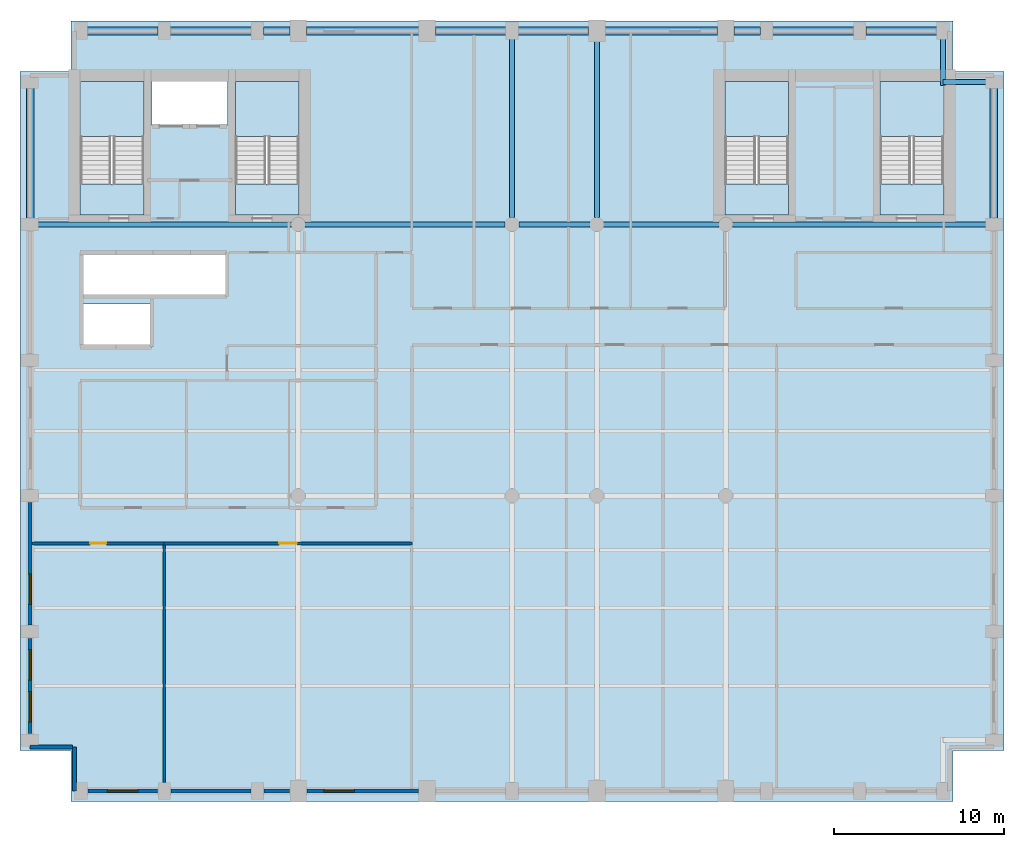
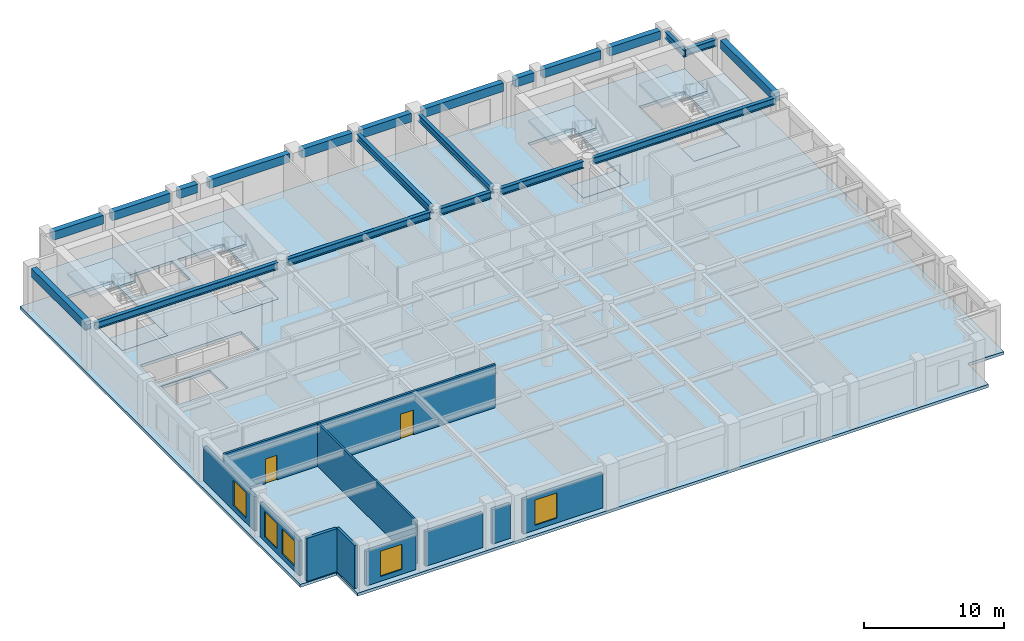
# One storey, part 2 of 8: 21 beams, 11 walls, 9 slabs, 5 windows, 2 doors, 7 openings, 4 elements without a shape of their own.
"""IFC4 building model written with IfcOpenShell, lengths in metres."""

import ifcopenshell
import ifcopenshell.guid

model = None  # the IFC model being written
_history = None  # IfcOwnerHistory: only IFC2X3 demands one
_inside = {}  # id of a spatial element -> (the spatial element, [elements in it])
_under = {}  # id of a project, library or spatial element -> (it, [spatial elements below it])
_declared = {}  # id of a project -> (the project, [libraries it declares])
_typed = {}  # id of a type object -> (the type object, [elements of that type])
_made_of = {}  # id of a material, layer set ... -> (it, [elements and type objects made of it])


def new_model(schema):
    """Start an empty IFC model of exactly this schema.

    Asked for "IFC4X3", IfcOpenShell would pick the latest addendum, in which some entities
    have other attributes; the version numbers below select the first issue.
    IFC2X3 requires an IfcOwnerHistory on every rooted entity: one is made here for all.
    """
    global model, _history
    if schema == "IFC4X3":
        model = ifcopenshell.file(schema_version=(4, 3, 0, 0))
    else:
        model = ifcopenshell.file(schema=schema)
    _inside.clear()
    _under.clear()
    _declared.clear()
    _typed.clear()
    _made_of.clear()
    _history = None
    if model.schema == "IFC2X3":
        org = make("IfcOrganization", Name="unknown")
        user = make(
            "IfcPersonAndOrganization",
            ThePerson=make("IfcPerson", FamilyName="unknown"),
            TheOrganization=org,
        )
        app = make(
            "IfcApplication",
            ApplicationDeveloper=org,
            Version="unknown",
            ApplicationFullName="unknown",
            ApplicationIdentifier="unknown",
        )
        _history = make(
            "IfcOwnerHistory",
            OwningUser=user,
            OwningApplication=app,
            ChangeAction="ADDED",
            CreationDate=0,
        )
    return model


def make(cls, **values):
    """One entity of the class cls with the attributes given. An attribute that is None is left unset."""
    return model.create_entity(
        cls, **{name: value for name, value in values.items() if value is not None}
    )


def rooted(cls, **values):
    """An entity with a GlobalId (a new one), such as an element, a storey or a relation."""
    return make(cls, GlobalId=ifcopenshell.guid.new(), OwnerHistory=_history, **values)


def si_unit(unit_type, name, prefix=None):
    """IfcSIUnit, for example si_unit("LENGTHUNIT", "METRE", prefix="MILLI")."""
    return make("IfcSIUnit", UnitType=unit_type, Prefix=prefix, Name=name)


def assignment(units):
    """IfcUnitAssignment: the units of a project."""
    return None if units is None else make("IfcUnitAssignment", Units=units)


def point(xyz):
    """IfcCartesianPoint."""
    return None if xyz is None else make("IfcCartesianPoint", Coordinates=xyz)


def direction(xyz):
    """IfcDirection."""
    return None if xyz is None else make("IfcDirection", DirectionRatios=xyz)


def frame(location, z_axis=None, x_axis=None):
    """IfcAxis2Placement3D, a coordinate frame: its origin and axes. An axis left out is left unset."""
    return make(
        "IfcAxis2Placement3D",
        Location=point(location),
        Axis=direction(z_axis),
        RefDirection=direction(x_axis),
    )


def frame_2d(location, x_axis=None):
    """IfcAxis2Placement2D, a coordinate frame in the plane: its origin and x axis."""
    return make(
        "IfcAxis2Placement2D", Location=point(location), RefDirection=direction(x_axis)
    )


def origin():
    """The frame at (0, 0, 0) with its axes left unset."""
    return frame((0.0, 0.0, 0.0))


def origin_2d():
    """The frame at (0, 0) in the plane with its x axis left unset."""
    return frame_2d((0.0, 0.0))


def place(relative_to, where):
    """IfcLocalPlacement: puts the frame where relative to a parent placement (None: the world)."""
    return make(
        "IfcLocalPlacement", PlacementRelTo=relative_to, RelativePlacement=where
    )


def context(
    kind, dimensions, precision=None, world=None, true_north=None, identifier=None
):
    """IfcGeometricRepresentationContext, for example the 3D "Model" context."""
    return make(
        "IfcGeometricRepresentationContext",
        ContextIdentifier=identifier,
        ContextType=kind,
        CoordinateSpaceDimension=dimensions,
        Precision=precision,
        WorldCoordinateSystem=world,
        TrueNorth=true_north,
    )


def subcontext(parent, identifier, kind, view, scale=None):
    """IfcGeometricRepresentationSubContext, for example "Body" below "Model"."""
    return make(
        "IfcGeometricRepresentationSubContext",
        ContextIdentifier=identifier,
        ContextType=kind,
        ParentContext=parent,
        TargetScale=scale,
        TargetView=view,
    )


def project(units=None, contexts=None):
    """IfcProject with its units and contexts."""
    return rooted(
        "IfcProject",
        Name="project",
        RepresentationContexts=contexts,
        UnitsInContext=assignment(units),
    )


def spatial(cls, under=None, at=None, **own):
    """A site, building, storey or space (cls), placed at a placement, below another one or the project."""
    s = rooted(cls, ObjectPlacement=at, **own)
    if under is not None:
        _under.setdefault(under.id(), (under, []))[1].append(s)
    return s


def polyline(points):
    """IfcPolyline through the points."""
    return make("IfcPolyline", Points=[point(p) for p in points])


def profile(cls, at=None, kind="AREA", **sizes):
    """A parametric profile (cls). Its sizes go by their IFC names, for example OverallWidth=200.0."""
    return make(cls, ProfileType=kind, Position=at, **sizes)


def rectangle(**sizes):
    """IfcRectangleProfileDef."""
    return profile("IfcRectangleProfileDef", **sizes)


def i_section(**sizes):
    """IfcIShapeProfileDef."""
    return profile("IfcIShapeProfileDef", **sizes)


def outline(outer, holes=None, kind="AREA"):
    """IfcArbitraryClosedProfileDef: a profile drawn as a closed curve; with holes, ...WithVoids."""
    if holes is None:
        return make("IfcArbitraryClosedProfileDef", ProfileType=kind, OuterCurve=outer)
    return make(
        "IfcArbitraryProfileDefWithVoids",
        ProfileType=kind,
        OuterCurve=outer,
        InnerCurves=holes,
    )


def extrude(swept, where, along, depth):
    """IfcExtrudedAreaSolid: the profile swept, set in the frame where, extruded along a direction by depth."""
    return make(
        "IfcExtrudedAreaSolid",
        SweptArea=swept,
        Position=where,
        ExtrudedDirection=direction(along),
        Depth=depth,
    )


def shape(context_of_items, identifier, shape_type, items):
    """IfcShapeRepresentation: the items that make up one representation, for example the "Body"."""
    return make(
        "IfcShapeRepresentation",
        ContextOfItems=context_of_items,
        RepresentationIdentifier=identifier,
        RepresentationType=shape_type,
        Items=items,
    )


def material(Name=None, Category=None):
    """IfcMaterial."""
    return make("IfcMaterial", Name=Name, Category=Category)


def layer(
    of_material, thickness, ventilated=None, Name=None, Category=None, Priority=None
):
    """IfcMaterialLayer: one layer of a wall or slab, of a material (None: an air gap)."""
    return make(
        "IfcMaterialLayer",
        Material=of_material,
        LayerThickness=thickness,
        IsVentilated=ventilated,
        Name=Name,
        Category=Category,
        Priority=Priority,
    )


def layer_set(layers, Name=None):
    """IfcMaterialLayerSet."""
    return make("IfcMaterialLayerSet", MaterialLayers=layers, LayerSetName=Name)


def material_profile(
    of_material, cross_section, Name=None, Category=None, Priority=None
):
    """IfcMaterialProfile: a cross section and its material."""
    return make(
        "IfcMaterialProfile",
        Name=Name,
        Material=of_material,
        Profile=cross_section,
        Priority=Priority,
        Category=Category,
    )


def profile_set(profiles, Name=None, composite=None):
    """IfcMaterialProfileSet."""
    return make(
        "IfcMaterialProfileSet",
        Name=Name,
        MaterialProfiles=profiles,
        CompositeProfile=composite,
    )


def made_of(thing, what):
    """Note that an element or type object is made of a material, layer set ...; save() writes the relation."""
    if what is not None:
        _made_of.setdefault(what.id(), (what, []))[1].append(thing)
    return thing


def type_object(cls, material=None, **own):
    """A type object (cls), such as IfcWallType, which elements share."""
    return made_of(rooted(cls, **own), material)


def element(
    cls,
    number,
    at=None,
    inside=None,
    cuts=None,
    type_object=None,
    material=None,
    context=None,
    identifier="Body",
    shape_type=None,
    held_by="IfcProductDefinitionShape",
    body=None,
    shapes=None,
    **own,
):
    """One element of the class cls, such as IfcWall. Its Tag is "e" and its number.

    at: its placement. inside: the storey or other place that contains it. cuts: it is an
    opening in that element (IfcRelVoidsElement). A single representation is given by context,
    identifier, shape_type and body (its items); several are given by shapes. held_by: the class
    of the entity that holds the representations. save() writes the other relations.
    """
    e = rooted(cls, Tag="e%d" % number, ObjectPlacement=at, **own)
    if body is not None:
        shapes = [shape(context, identifier, shape_type, body)]
    if shapes is not None:
        e.Representation = make(held_by, Representations=shapes)
    if inside is not None:
        _inside.setdefault(inside.id(), (inside, []))[1].append(e)
    if cuts is not None:
        rooted(
            "IfcRelVoidsElement", RelatingBuildingElement=cuts, RelatedOpeningElement=e
        )
    if type_object is not None:
        _typed.setdefault(type_object.id(), (type_object, []))[1].append(e)
    return made_of(e, material)


def fill(opening, filler):
    """IfcRelFillsElement: the door or window that sits in an opening."""
    return rooted(
        "IfcRelFillsElement",
        RelatingOpeningElement=opening,
        RelatedBuildingElement=filler,
    )


def aggregate(whole, parts):
    """IfcRelAggregates: a whole, such as a stair, and the parts it consists of."""
    return rooted("IfcRelAggregates", RelatingObject=whole, RelatedObjects=parts)


def save(model, path):
    """Write the relations noted so far, then the file.

    IfcRelAggregates (storeys below a building ...), IfcRelContainedInSpatialStructure (elements
    in a storey), IfcRelDefinesByType, IfcRelAssociatesMaterial and IfcRelDeclares: one each for
    every whole, place, type object, material and project.
    """
    for whole, parts in _under.values():
        aggregate(whole, parts)
    for where, things in _inside.values():
        rooted(
            "IfcRelContainedInSpatialStructure",
            RelatedElements=things,
            RelatingStructure=where,
        )
    for kind, things in _typed.values():
        rooted("IfcRelDefinesByType", RelatedObjects=things, RelatingType=kind)
    for what, things in _made_of.values():
        rooted("IfcRelAssociatesMaterial", RelatedObjects=things, RelatingMaterial=what)
    for by, libraries in _declared.values():
        rooted("IfcRelDeclares", RelatingContext=by, RelatedDefinitions=libraries)
    model.write(path)


model = new_model("IFC4")

# Units and contexts
model_context = context("Model", 3, precision=1e-05, world=origin(), true_north=direction((0.0, 1.0)))
body_context = subcontext(model_context, "Body", "Model", "MODEL_VIEW")
ifc_project = project(units=[si_unit("LENGTHUNIT", "METRE"), si_unit("AREAUNIT", "SQUARE_METRE"), si_unit("VOLUMEUNIT", "CUBIC_METRE"), si_unit("PLANEANGLEUNIT", "RADIAN"), si_unit("MASSUNIT", "GRAM", prefix="KILO")], contexts=[model_context])

# Site, building, storey
site_placement = place(None, origin())
site = spatial("IfcSite", under=ifc_project, at=site_placement, CompositionType="ELEMENT")
building_placement = place(site_placement, origin())
building = spatial("IfcBuilding", under=site, at=building_placement, Name="Sulina Concourse Tower", CompositionType="ELEMENT")
storey_placement = place(building_placement, frame((0.0, 0.0, 222.60009765625)))
storey = spatial("IfcBuildingStorey", under=building, at=storey_placement, Name="L54", CompositionType="ELEMENT", Elevation=222.60009765625)

# Beams
ifc_material_1 = material(Name="Steel S355", Category="steel")
ifc_material_profile_1 = material_profile(ifc_material_1, i_section(OverallWidth=0.300048828125, OverallDepth=0.60009765625, WebThickness=0.015380859375, FlangeThickness=0.030029296875, at=origin_2d()), Name="HE 600 B")
ifc_profile_set_1 = profile_set([ifc_material_profile_1], Name="Steel S355")
beam_type_1 = type_object("IfcBeamType", Name="Floor Primary Girder Zone 3 HE600B", PredefinedType="BEAM", material=ifc_profile_set_1)
beam_1_placement = place(storey_placement, frame((54.39990234375, 42.39990234375, 3.449951171875), z_axis=(1.0, 0.0, 0.0), x_axis=(0.0, 1.0, 0.0)))
element("IfcBeam", 1, at=beam_1_placement, inside=storey, type_object=beam_type_1, Name="TIE-NE-L54", PredefinedType="BEAM", context=body_context, shape_type="SweptSolid", body=[
    extrude(i_section(OverallWidth=0.300048828125, OverallDepth=0.60009765625, WebThickness=0.015380859375, FlangeThickness=0.030029296875, at=origin_2d()), origin(), (0.0, 0.0, 1.0), 2.64501953125),
])
beam_2_placement = place(storey_placement, frame((54.39990234375, 42.199951171875, 3.449951171875), z_axis=(0.0, 1.0, 0.0), x_axis=(-1.0, 0.0, 0.0)))
element("IfcBeam", 2, at=beam_2_placement, inside=storey, type_object=beam_type_1, Name="TIE-NEN-L54", PredefinedType="BEAM", context=body_context, shape_type="SweptSolid", body=[
    extrude(i_section(OverallWidth=0.300048828125, OverallDepth=0.60009765625, WebThickness=0.015380859375, FlangeThickness=0.030029296875, at=origin_2d()), origin(), (0.0, 0.0, 1.0), 2.844970703125),
])
beam_3_placement = place(storey_placement, frame((0.955078125, 34.0, 3.449951171875), z_axis=(1.0, 0.0, 0.0), x_axis=(0.0, 1.0, 0.0)))
element("IfcBeam", 3, at=beam_3_placement, inside=storey, type_object=beam_type_1, Name="FG-EWN1-L54", PredefinedType="BEAM", context=body_context, shape_type="SweptSolid", body=[
    extrude(i_section(OverallWidth=0.300048828125, OverallDepth=0.60009765625, WebThickness=0.015380859375, FlangeThickness=0.030029296875, at=origin_2d()), origin(), (0.0, 0.0, 1.0), 15.0400390625),
])
beam_4_placement = place(storey_placement, frame((16.804931640625, 34.0, 3.449951171875), z_axis=(1.0, 0.0, 0.0), x_axis=(0.0, 1.0, 0.0)))
element("IfcBeam", 4, at=beam_4_placement, inside=storey, type_object=beam_type_1, Name="FG-EWN2-L54", PredefinedType="BEAM", context=body_context, shape_type="SweptSolid", body=[
    extrude(i_section(OverallWidth=0.300048828125, OverallDepth=0.60009765625, WebThickness=0.015380859375, FlangeThickness=0.030029296875, at=origin_2d()), origin(), (0.0, 0.0, 1.0), 11.7900390625),
])
beam_5_placement = place(storey_placement, frame((29.405029296875, 34.0, 3.449951171875), z_axis=(1.0, 0.0, 0.0), x_axis=(0.0, 1.0, 0.0)))
element("IfcBeam", 5, at=beam_5_placement, inside=storey, type_object=beam_type_1, Name="FG-EWN3-L54", PredefinedType="BEAM", context=body_context, shape_type="SweptSolid", body=[
    extrude(i_section(OverallWidth=0.300048828125, OverallDepth=0.60009765625, WebThickness=0.015380859375, FlangeThickness=0.030029296875, at=origin_2d()), origin(), (0.0, 0.0, 1.0), 4.18994140625),
])
beam_6_placement = place(storey_placement, frame((34.405029296875, 34.0, 3.449951171875), z_axis=(1.0, 0.0, 0.0), x_axis=(0.0, 1.0, 0.0)))
element("IfcBeam", 6, at=beam_6_placement, inside=storey, type_object=beam_type_1, Name="FG-EWN4-L54", PredefinedType="BEAM", context=body_context, shape_type="SweptSolid", body=[
    extrude(i_section(OverallWidth=0.300048828125, OverallDepth=0.60009765625, WebThickness=0.015380859375, FlangeThickness=0.030029296875, at=origin_2d()), origin(), (0.0, 0.0, 1.0), 6.7900390625),
])
beam_7_placement = place(storey_placement, frame((42.0048828125, 34.0, 3.449951171875), z_axis=(1.0, 0.0, 0.0), x_axis=(0.0, 1.0, 0.0)))
element("IfcBeam", 7, at=beam_7_placement, inside=storey, type_object=beam_type_1, Name="FG-EWN5-L54", PredefinedType="BEAM", context=body_context, shape_type="SweptSolid", body=[
    extrude(i_section(OverallWidth=0.300048828125, OverallDepth=0.60009765625, WebThickness=0.015380859375, FlangeThickness=0.030029296875, at=origin_2d()), origin(), (0.0, 0.0, 1.0), 15.0400390625),
])
beam_8_placement = place(storey_placement, frame((29.0, 34.405029296875, 3.449951171875), z_axis=(0.0, 1.0, 0.0), x_axis=(-1.0, 0.0, 0.0)))
element("IfcBeam", 8, at=beam_8_placement, inside=storey, type_object=beam_type_1, Name="FG-NSC-29-L54", PredefinedType="BEAM", context=body_context, shape_type="SweptSolid", body=[
    extrude(i_section(OverallWidth=0.300048828125, OverallDepth=0.60009765625, WebThickness=0.015380859375, FlangeThickness=0.030029296875, at=origin_2d()), origin(), (0.0, 0.0, 1.0), 10.639892578125),
])
beam_9_placement = place(storey_placement, frame((34.0, 34.405029296875, 3.449951171875), z_axis=(0.0, 1.0, 0.0), x_axis=(-1.0, 0.0, 0.0)))
element("IfcBeam", 9, at=beam_9_placement, inside=storey, type_object=beam_type_1, Name="FG-NSC-34-L54", PredefinedType="BEAM", context=body_context, shape_type="SweptSolid", body=[
    extrude(i_section(OverallWidth=0.300048828125, OverallDepth=0.60009765625, WebThickness=0.015380859375, FlangeThickness=0.030029296875, at=origin_2d()), origin(), (0.0, 0.0, 1.0), 10.514892578125),
])
ifc_material_2 = material(Name="Precast concrete C50/60", Category="concrete")
ifc_material_profile_2 = material_profile(ifc_material_2, rectangle(XDim=0.449951171875, YDim=0.75, at=origin_2d()), Name="RC 450x750")
ifc_profile_set_2 = profile_set([ifc_material_profile_2], Name="Precast concrete C50/60")
beam_type_2 = type_object("IfcBeamType", Name="Upper Precast Spandrel Edge Beam 450x750", PredefinedType="BEAM", material=ifc_profile_set_2)
beam_10_placement = place(storey_placement, frame((3.955078125, 45.39990234375, 3.375), z_axis=(1.0, 0.0, 0.0), x_axis=(0.0, 1.0, 0.0)))
element("IfcBeam", 10, at=beam_10_placement, inside=storey, type_object=beam_type_2, Name="SP-N1-L54", PredefinedType="BEAM", context=body_context, shape_type="SweptSolid", body=[
    extrude(rectangle(XDim=0.449951171875, YDim=0.75, at=origin_2d()), origin(), (0.0, 0.0, 1.0), 4.18994140625),
])
beam_11_placement = place(storey_placement, frame((8.85498046875, 45.39990234375, 3.375), z_axis=(1.0, 0.0, 0.0), x_axis=(0.0, 1.0, 0.0)))
element("IfcBeam", 11, at=beam_11_placement, inside=storey, type_object=beam_type_2, Name="SP-N2-L54", PredefinedType="BEAM", context=body_context, shape_type="SweptSolid", body=[
    extrude(rectangle(XDim=0.449951171875, YDim=0.75, at=origin_2d()), origin(), (0.0, 0.0, 1.0), 4.7900390625),
])
beam_12_placement = place(storey_placement, frame((14.35498046875, 45.39990234375, 3.375), z_axis=(1.0, 0.0, 0.0), x_axis=(0.0, 1.0, 0.0)))
element("IfcBeam", 12, at=beam_12_placement, inside=storey, type_object=beam_type_2, Name="SP-N3-L54", PredefinedType="BEAM", context=body_context, shape_type="SweptSolid", body=[
    extrude(rectangle(XDim=0.449951171875, YDim=0.75, at=origin_2d()), origin(), (0.0, 0.0, 1.0), 1.56494140625),
])
beam_13_placement = place(storey_placement, frame((16.8798828125, 45.39990234375, 3.375), z_axis=(1.0, 0.0, 0.0), x_axis=(0.0, 1.0, 0.0)))
element("IfcBeam", 13, at=beam_13_placement, inside=storey, type_object=beam_type_2, Name="SP-N4-L54", PredefinedType="BEAM", context=body_context, shape_type="SweptSolid", body=[
    extrude(rectangle(XDim=0.449951171875, YDim=0.75, at=origin_2d()), origin(), (0.0, 0.0, 1.0), 6.64013671875),
])
for number, where, z_axis, x_axis, name in (
    (14, (24.47998046875, 45.39990234375, 3.375), (1.0, 0.0, 0.0), (0.0, 1.0, 0.0), "SP-N5-L54"),
    (15, (29.35498046875, 45.39990234375, 3.375), (1.0, 0.0, 0.0), (0.0, 1.0, 0.0), "SP-N6-L54"),
):
    element("IfcBeam", number, at=place(storey_placement, frame(where, z_axis=z_axis, x_axis=x_axis)), inside=storey, type_object=beam_type_2, Name=name, PredefinedType="BEAM", context=body_context, shape_type="SweptSolid", body=[
        extrude(rectangle(XDim=0.449951171875, YDim=0.75, at=origin_2d()), origin(), (0.0, 0.0, 1.0), 4.1650390625),
    ])
beam_14_placement = place(storey_placement, frame((34.47998046875, 45.39990234375, 3.375), z_axis=(1.0, 0.0, 0.0), x_axis=(0.0, 1.0, 0.0)))
element("IfcBeam", 16, at=beam_14_placement, inside=storey, type_object=beam_type_2, Name="SP-N7-L54", PredefinedType="BEAM", context=body_context, shape_type="SweptSolid", body=[
    extrude(rectangle(XDim=0.449951171875, YDim=0.75, at=origin_2d()), origin(), (0.0, 0.0, 1.0), 6.64013671875),
])
beam_15_placement = place(storey_placement, frame((42.080078125, 45.39990234375, 3.375), z_axis=(1.0, 0.0, 0.0), x_axis=(0.0, 1.0, 0.0)))
element("IfcBeam", 17, at=beam_15_placement, inside=storey, type_object=beam_type_2, Name="SP-N8-L54", PredefinedType="BEAM", context=body_context, shape_type="SweptSolid", body=[
    extrude(rectangle(XDim=0.449951171875, YDim=0.75, at=origin_2d()), origin(), (0.0, 0.0, 1.0), 1.56494140625),
])
beam_16_placement = place(storey_placement, frame((44.35498046875, 45.39990234375, 3.375), z_axis=(1.0, 0.0, 0.0), x_axis=(0.0, 1.0, 0.0)))
element("IfcBeam", 18, at=beam_16_placement, inside=storey, type_object=beam_type_2, Name="SP-N9-L54", PredefinedType="BEAM", context=body_context, shape_type="SweptSolid", body=[
    extrude(rectangle(XDim=0.449951171875, YDim=0.75, at=origin_2d()), origin(), (0.0, 0.0, 1.0), 4.7900390625),
])
beam_17_placement = place(storey_placement, frame((49.85498046875, 45.39990234375, 3.375), z_axis=(1.0, 0.0, 0.0), x_axis=(0.0, 1.0, 0.0)))
element("IfcBeam", 19, at=beam_17_placement, inside=storey, type_object=beam_type_2, Name="SP-N10-L54", PredefinedType="BEAM", context=body_context, shape_type="SweptSolid", body=[
    extrude(rectangle(XDim=0.449951171875, YDim=0.75, at=origin_2d()), origin(), (0.0, 0.0, 1.0), 4.18994140625),
])
for number, where, z_axis, x_axis, name in (
    (20, (0.60009765625, 34.35498046875, 3.375), (0.0, 1.0, 0.0), (-1.0, 0.0, 0.0), "SP-W5-L54"),
    (21, (57.39990234375, 34.35498046875, 3.375), (0.0, 1.0, 0.0), (-1.0, 0.0, 0.0), "SP-E5-L54"),
):
    element("IfcBeam", number, at=place(storey_placement, frame(where, z_axis=z_axis, x_axis=x_axis)), inside=storey, type_object=beam_type_2, Name=name, PredefinedType="BEAM", context=body_context, shape_type="SweptSolid", body=[
        extrude(rectangle(XDim=0.449951171875, YDim=0.75, at=origin_2d()), origin(), (0.0, 0.0, 1.0), 7.68994140625),
    ])

# Slabs
ifc_material_3 = material(Name="Concrete C50/60", Category="concrete")
ifc_layer_1 = layer(ifc_material_3, 0.25)
ifc_layer_set_1 = layer_set([ifc_layer_1], Name="Concrete C50/60")
slab_type_1 = type_object("IfcSlabType", Name="High-Rise Composite Floor Slab 250mm", PredefinedType="FLOOR", material=ifc_layer_set_1)
slab_1_placement = place(storey_placement, frame((0.0, 0.0, -0.25)))
element("IfcSlab", 22, at=slab_1_placement, inside=storey, type_object=slab_type_1, Name="L54 structural floor slab", PredefinedType="FLOOR", context=body_context, shape_type="SweptSolid", body=[
    extrude(outline(polyline([(3.0, 0.0), (55.0, 0.0), (55.0, 3.0), (58.0, 3.0), (58.0, 43.0), (55.0, 43.0), (55.0, 46.0), (3.0, 46.0), (3.0, 43.0), (0.0, 43.0), (0.0, 3.0), (3.0, 3.0), (3.0, 0.0)]), holes=[polyline([(7.31005859375, 34.550048828125), (7.31005859375, 42.429931640625), (3.550048828125, 42.429931640625), (3.550048828125, 34.550048828125), (7.31005859375, 34.550048828125)]), polyline([(16.449951171875, 34.550048828125), (16.449951171875, 42.429931640625), (12.68994140625, 42.429931640625), (12.68994140625, 34.550048828125), (16.449951171875, 34.550048828125)]), polyline([(45.31005859375, 34.550048828125), (45.31005859375, 42.429931640625), (41.550048828125, 42.429931640625), (41.550048828125, 34.550048828125), (45.31005859375, 34.550048828125)]), polyline([(54.449951171875, 34.550048828125), (54.449951171875, 42.429931640625), (50.68994140625, 42.429931640625), (50.68994140625, 34.550048828125), (54.449951171875, 34.550048828125)]), polyline([(7.780029296875, 39.830078125), (12.219970703125, 39.830078125), (12.219970703125, 42.449951171875), (7.780029296875, 42.449951171875), (7.780029296875, 39.830078125)]), polyline([(3.739990234375, 26.780029296875), (7.77001953125, 26.780029296875), (7.77001953125, 29.320068359375), (3.739990234375, 29.320068359375), (3.739990234375, 26.780029296875)]), polyline([(3.739990234375, 29.780029296875), (12.10009765625, 29.780029296875), (12.10009765625, 32.3701171875), (3.739990234375, 32.3701171875), (3.739990234375, 29.780029296875)])]), origin(), (0.0, 0.0, 1.0), 0.25),
])
ifc_material_4 = material(Name="Concrete C50/60", Category="concrete")
ifc_layer_2 = layer(ifc_material_4, 0.199951171875)
ifc_layer_set_2 = layer_set([ifc_layer_2], Name="Concrete C50/60")
slab_type_2 = type_object("IfcSlabType", Name="Primary Core Stair Landing Slab 200mm", PredefinedType="LANDING", material=ifc_layer_set_2)
slab_2_placement = place(storey_placement, frame((0.0, 0.0, -0.2001953125)))
element("IfcSlab", 23, at=slab_2_placement, inside=storey, type_object=slab_type_2, Name="L54 ST-1 floor landing slab", PredefinedType="LANDING", context=body_context, shape_type="SweptSolid", body=[
    extrude(outline(polyline([(7.31005859375, 34.550048828125), (7.31005859375, 36.375), (3.550048828125, 36.375), (3.550048828125, 34.550048828125), (7.31005859375, 34.550048828125)])), origin(), (0.0, 0.0, 1.0), 0.2001953125),
])
slab_3_placement = place(storey_placement, frame((0.0, 0.0, -0.2001953125)))
element("IfcSlab", 24, at=slab_3_placement, inside=storey, type_object=slab_type_2, Name="L54 ST-2 floor landing slab", PredefinedType="LANDING", context=body_context, shape_type="SweptSolid", body=[
    extrude(outline(polyline([(16.449951171875, 34.550048828125), (16.449951171875, 36.375), (12.68994140625, 36.375), (12.68994140625, 34.550048828125), (16.449951171875, 34.550048828125)])), origin(), (0.0, 0.0, 1.0), 0.2001953125),
])
slab_4_placement = place(storey_placement, frame((0.0, 0.0, -0.2001953125)))
element("IfcSlab", 25, at=slab_4_placement, inside=storey, type_object=slab_type_2, Name="L54 ST-3 floor landing slab", PredefinedType="LANDING", context=body_context, shape_type="SweptSolid", body=[
    extrude(outline(polyline([(45.31005859375, 34.550048828125), (45.31005859375, 36.375), (41.550048828125, 36.375), (41.550048828125, 34.550048828125), (45.31005859375, 34.550048828125)])), origin(), (0.0, 0.0, 1.0), 0.2001953125),
])
slab_5_placement = place(storey_placement, frame((0.0, 0.0, -0.2001953125)))
element("IfcSlab", 26, at=slab_5_placement, inside=storey, type_object=slab_type_2, Name="L54 ST-4 floor landing slab", PredefinedType="LANDING", context=body_context, shape_type="SweptSolid", body=[
    extrude(outline(polyline([(54.449951171875, 34.550048828125), (54.449951171875, 36.375), (50.68994140625, 36.375), (50.68994140625, 34.550048828125), (54.449951171875, 34.550048828125)])), origin(), (0.0, 0.0, 1.0), 0.2001953125),
])

# Stair, slab
ifc_material_5 = material(Name="Concrete C50/60", Category="concrete")
stair_type_1 = type_object("IfcStairType", Name="Primary Core Dog-Leg Exit Stair 1800mm", PredefinedType="HALF_TURN_STAIR", material=ifc_material_5)
stair_1_placement = place(storey_placement, origin())
stair_1 = element("IfcStair", 27, at=stair_1_placement, inside=storey, type_object=stair_type_1, Name="L54 ST-1", PredefinedType="HALF_TURN_STAIR")
slab_6_placement = place(storey_placement, frame((0.0, 0.0, 1.7998046875)))
slab_6 = element("IfcSlab", 28, at=slab_6_placement, type_object=slab_type_2, Name="ST-1 landing 1", PredefinedType="LANDING", context=body_context, shape_type="SweptSolid", body=[
    extrude(outline(polyline([(7.304931640625, 39.175048828125), (7.304931640625, 42.425048828125), (3.554931640625, 42.425048828125), (3.554931640625, 39.175048828125), (7.304931640625, 39.175048828125)])), origin(), (0.0, 0.0, 1.0), 0.2001953125),
])
aggregate(stair_1, [slab_6])

stair_2_placement = place(storey_placement, origin())
stair_2 = element("IfcStair", 29, at=stair_2_placement, inside=storey, type_object=stair_type_1, Name="L54 ST-2", PredefinedType="HALF_TURN_STAIR")
slab_7_placement = place(storey_placement, frame((0.0, 0.0, 1.7998046875)))
slab_7 = element("IfcSlab", 30, at=slab_7_placement, type_object=slab_type_2, Name="ST-2 landing 1", PredefinedType="LANDING", context=body_context, shape_type="SweptSolid", body=[
    extrude(outline(polyline([(16.445068359375, 39.175048828125), (16.445068359375, 42.425048828125), (12.695068359375, 42.425048828125), (12.695068359375, 39.175048828125), (16.445068359375, 39.175048828125)])), origin(), (0.0, 0.0, 1.0), 0.2001953125),
])
aggregate(stair_2, [slab_7])

ifc_material_6 = material(Name="Concrete C50/60", Category="concrete")
stair_type_2 = type_object("IfcStairType", Name="Portal & Podium Core Exit Stair 1820mm", PredefinedType="HALF_TURN_STAIR", material=ifc_material_6)
stair_3_placement = place(storey_placement, origin())
stair_3 = element("IfcStair", 31, at=stair_3_placement, inside=storey, type_object=stair_type_2, Name="L54 ST-3", PredefinedType="HALF_TURN_STAIR")
slab_8_placement = place(storey_placement, frame((0.0, 0.0, 1.7998046875)))
slab_8 = element("IfcSlab", 32, at=slab_8_placement, type_object=slab_type_2, Name="ST-3 landing 1", PredefinedType="LANDING", context=body_context, shape_type="SweptSolid", body=[
    extrude(outline(polyline([(45.304931640625, 39.175048828125), (45.304931640625, 42.425048828125), (41.554931640625, 42.425048828125), (41.554931640625, 39.175048828125), (45.304931640625, 39.175048828125)])), origin(), (0.0, 0.0, 1.0), 0.2001953125),
])
aggregate(stair_3, [slab_8])

stair_4_placement = place(storey_placement, origin())
stair_4 = element("IfcStair", 33, at=stair_4_placement, inside=storey, type_object=stair_type_2, Name="L54 ST-4", PredefinedType="HALF_TURN_STAIR")
slab_9_placement = place(storey_placement, frame((0.0, 0.0, 1.7998046875)))
slab_9 = element("IfcSlab", 34, at=slab_9_placement, type_object=slab_type_2, Name="ST-4 landing 1", PredefinedType="LANDING", context=body_context, shape_type="SweptSolid", body=[
    extrude(outline(polyline([(54.445068359375, 39.175048828125), (54.445068359375, 42.425048828125), (50.695068359375, 42.425048828125), (50.695068359375, 39.175048828125), (54.445068359375, 39.175048828125)])), origin(), (0.0, 0.0, 1.0), 0.2001953125),
])
aggregate(stair_4, [slab_9])

# Wall, opening, window
ifc_material_7 = material(Name="Precast concrete C50/60", Category="concrete")
ifc_layer_3 = layer(ifc_material_7, 0.239990234375)
ifc_layer_set_3 = layer_set([ifc_layer_3], Name="Precast concrete C50/60")
wall_type_1 = type_object("IfcWallType", Name="Crown Precast Masonry-Frame Facade Wall 240mm", PredefinedType="SOLIDWALL", material=ifc_layer_set_3)
wall_1_placement = place(storey_placement, frame((8.10498046875, 0.60009765625, 0.0), z_axis=(0.0, 0.0, 1.0), x_axis=(-1.0, 0.0, 0.0)))
wall_1 = element("IfcWall", 35, at=wall_1_placement, inside=storey, type_object=wall_type_1, Name="L54 exterior precast wall S1", PredefinedType="SOLIDWALL", context=body_context, shape_type="SweptSolid", body=[
    extrude(rectangle(XDim=4.10986328125, YDim=0.239990234375, at=frame_2d((2.054931640625, 0.0))), origin(), (0.0, 0.0, 1.0), 3.0),
])
opening_1_placement = place(wall_1_placement, frame((1.155029296875, 0.0, 0.419921875)))
opening_1 = element("IfcOpeningElement", 36, at=opening_1_placement, cuts=wall_1, Name="Opening WN-25", PredefinedType="OPENING", context=body_context, shape_type="SweptSolid", body=[
    extrude(rectangle(XDim=1.800048828125, YDim=2.199951171875, at=frame_2d((0.89990234375, 1.10009765625))), frame((0.0, 0.1298828125, 0.0), z_axis=(0.0, -1.0, 0.0), x_axis=(1.0, 0.0, 0.0)), (0.0, 0.0, 1.0), 0.260009765625),
])
ifc_material_8 = material(Name="Low-E solar double glazing in bronze aluminium", Category="aluminium")
window_type = type_object("IfcWindowType", Name="Punched Masonry-Frame Window 1800x2200", PartitioningType="SINGLE_PANEL", PredefinedType="WINDOW", material=ifc_material_8)
window_1_placement = place(opening_1_placement, origin())
window_1 = element("IfcWindow", 37, at=window_1_placement, inside=storey, type_object=window_type, Name="L54 punched window S1-1", OverallHeight=2.199951171875, OverallWidth=1.800048828125, PartitioningType="SINGLE_PANEL", PredefinedType="WINDOW", context=body_context, shape_type="SweptSolid", body=[
    extrude(rectangle(XDim=1.800048828125, YDim=2.199951171875, at=frame_2d((0.89990234375, 1.10009765625))), frame((0.0, 0.030029296875, 0.0), z_axis=(0.0, -1.0, 0.0), x_axis=(1.0, 0.0, 0.0)), (0.0, 0.0, 1.0), 0.06005859375),
])
fill(opening_1, window_1)

# Walls
wall_2_placement = place(storey_placement, frame((13.60498046875, 0.60009765625, 0.0), z_axis=(0.0, 0.0, 1.0), x_axis=(-1.0, 0.0, 0.0)))
element("IfcWall", 38, at=wall_2_placement, inside=storey, type_object=wall_type_1, Name="L54 exterior precast wall S2", PredefinedType="SOLIDWALL", context=body_context, shape_type="SweptSolid", body=[
    extrude(rectangle(XDim=4.7099609375, YDim=0.239990234375, at=frame_2d((2.35498046875, 0.0))), origin(), (0.0, 0.0, 1.0), 3.0),
])
wall_3_placement = place(storey_placement, frame((15.8798828125, 0.60009765625, 0.0), z_axis=(0.0, 0.0, 1.0), x_axis=(-1.0, 0.0, 0.0)))
element("IfcWall", 39, at=wall_3_placement, inside=storey, type_object=wall_type_1, Name="L54 exterior precast wall S3", PredefinedType="SOLIDWALL", context=body_context, shape_type="SweptSolid", body=[
    extrude(rectangle(XDim=1.48486328125, YDim=0.239990234375, at=frame_2d((0.742431640625, 0.0))), origin(), (0.0, 0.0, 1.0), 3.0),
])

# Wall, opening, window
wall_4_placement = place(storey_placement, frame((23.47998046875, 0.60009765625, 0.0), z_axis=(0.0, 0.0, 1.0), x_axis=(-1.0, 0.0, 0.0)))
wall_4 = element("IfcWall", 40, at=wall_4_placement, inside=storey, type_object=wall_type_1, Name="L54 exterior precast wall S4", PredefinedType="SOLIDWALL", context=body_context, shape_type="SweptSolid", body=[
    extrude(rectangle(XDim=6.56005859375, YDim=0.239990234375, at=frame_2d((3.280029296875, 0.0))), origin(), (0.0, 0.0, 1.0), 3.0),
])
opening_2_placement = place(wall_4_placement, frame((3.773193359375, 0.0, 0.419921875)))
opening_2 = element("IfcOpeningElement", 41, at=opening_2_placement, cuts=wall_4, Name="Opening WN-25", PredefinedType="OPENING", context=body_context, shape_type="SweptSolid", body=[
    extrude(rectangle(XDim=1.800048828125, YDim=2.199951171875, at=frame_2d((0.89990234375, 1.10009765625))), frame((0.0, 0.1298828125, 0.0), z_axis=(0.0, -1.0, 0.0), x_axis=(1.0, 0.0, 0.0)), (0.0, 0.0, 1.0), 0.260009765625),
])
window_2_placement = place(opening_2_placement, origin())
window_2 = element("IfcWindow", 42, at=window_2_placement, inside=storey, type_object=window_type, Name="L54 punched window S4-1", OverallHeight=2.199951171875, OverallWidth=1.800048828125, PartitioningType="SINGLE_PANEL", PredefinedType="WINDOW", context=body_context, shape_type="SweptSolid", body=[
    extrude(rectangle(XDim=1.800048828125, YDim=2.199951171875, at=frame_2d((0.89990234375, 1.10009765625))), frame((0.0, 0.030029296875, 0.0), z_axis=(0.0, -1.0, 0.0), x_axis=(1.0, 0.0, 0.0)), (0.0, 0.0, 1.0), 0.06005859375),
])
fill(opening_2, window_2)

# Wall, openings, windows
wall_5_placement = place(storey_placement, frame((0.60009765625, 3.9951171875, 0.0), z_axis=(0.0, 0.0, 1.0), x_axis=(0.0, 1.0, 0.0)))
wall_5 = element("IfcWall", 43, at=wall_5_placement, inside=storey, type_object=wall_type_1, Name="L54 exterior precast wall W1", PredefinedType="SOLIDWALL", context=body_context, shape_type="SweptSolid", body=[
    extrude(rectangle(XDim=5.60986328125, YDim=0.239990234375, at=frame_2d((2.804931640625, 0.0))), origin(), (0.0, 0.0, 1.0), 3.0),
])
opening_3_placement = place(wall_5_placement, frame((0.669921875, 0.0, 0.419921875)))
opening_3 = element("IfcOpeningElement", 44, at=opening_3_placement, cuts=wall_5, Name="Opening WN-25", PredefinedType="OPENING", context=body_context, shape_type="SweptSolid", body=[
    extrude(rectangle(XDim=1.800048828125, YDim=2.199951171875, at=frame_2d((0.89990234375, 1.10009765625))), frame((0.0, 0.1298828125, 0.0), z_axis=(0.0, -1.0, 0.0), x_axis=(1.0, 0.0, 0.0)), (0.0, 0.0, 1.0), 0.260009765625),
])
opening_4_placement = place(wall_5_placement, frame((3.139892578125, 0.0, 0.419921875)))
opening_4 = element("IfcOpeningElement", 45, at=opening_4_placement, cuts=wall_5, Name="Opening WN-25", PredefinedType="OPENING", context=body_context, shape_type="SweptSolid", body=[
    extrude(rectangle(XDim=1.800048828125, YDim=2.199951171875, at=frame_2d((0.89990234375, 1.10009765625))), frame((0.0, 0.1298828125, 0.0), z_axis=(0.0, -1.0, 0.0), x_axis=(1.0, 0.0, 0.0)), (0.0, 0.0, 1.0), 0.260009765625),
])
window_3_placement = place(opening_3_placement, origin())
window_3 = element("IfcWindow", 46, at=window_3_placement, inside=storey, type_object=window_type, Name="L54 punched window W1-1", OverallHeight=2.199951171875, OverallWidth=1.800048828125, PartitioningType="SINGLE_PANEL", PredefinedType="WINDOW", context=body_context, shape_type="SweptSolid", body=[
    extrude(rectangle(XDim=1.800048828125, YDim=2.199951171875, at=frame_2d((0.89990234375, 1.10009765625))), frame((0.0, 0.030029296875, 0.0), z_axis=(0.0, -1.0, 0.0), x_axis=(1.0, 0.0, 0.0)), (0.0, 0.0, 1.0), 0.06005859375),
])
fill(opening_3, window_3)
window_4_placement = place(opening_4_placement, origin())
window_4 = element("IfcWindow", 47, at=window_4_placement, inside=storey, type_object=window_type, Name="L54 punched window W1-2", OverallHeight=2.199951171875, OverallWidth=1.800048828125, PartitioningType="SINGLE_PANEL", PredefinedType="WINDOW", context=body_context, shape_type="SweptSolid", body=[
    extrude(rectangle(XDim=1.800048828125, YDim=2.199951171875, at=frame_2d((0.89990234375, 1.10009765625))), frame((0.0, 0.030029296875, 0.0), z_axis=(0.0, -1.0, 0.0), x_axis=(1.0, 0.0, 0.0)), (0.0, 0.0, 1.0), 0.06005859375),
])
fill(opening_4, window_4)

# Wall, opening, window
wall_6_placement = place(storey_placement, frame((0.60009765625, 10.39501953125, 0.0), z_axis=(0.0, 0.0, 1.0), x_axis=(0.0, 1.0, 0.0)))
wall_6 = element("IfcWall", 48, at=wall_6_placement, inside=storey, type_object=wall_type_1, Name="L54 exterior precast wall W2", PredefinedType="SOLIDWALL", context=body_context, shape_type="SweptSolid", body=[
    extrude(rectangle(XDim=7.2099609375, YDim=0.239990234375, at=frame_2d((3.60498046875, 0.0))), origin(), (0.0, 0.0, 1.0), 3.0),
])
opening_5_placement = place(wall_6_placement, frame((1.203369140625, 0.0, 0.419921875)))
opening_5 = element("IfcOpeningElement", 49, at=opening_5_placement, cuts=wall_6, Name="Opening WN-25", PredefinedType="OPENING", context=body_context, shape_type="SweptSolid", body=[
    extrude(rectangle(XDim=1.800048828125, YDim=2.199951171875, at=frame_2d((0.89990234375, 1.10009765625))), frame((0.0, 0.1298828125, 0.0), z_axis=(0.0, -1.0, 0.0), x_axis=(1.0, 0.0, 0.0)), (0.0, 0.0, 1.0), 0.260009765625),
])
window_5_placement = place(opening_5_placement, origin())
window_5 = element("IfcWindow", 50, at=window_5_placement, inside=storey, type_object=window_type, Name="L54 punched window W2-1", OverallHeight=2.199951171875, OverallWidth=1.800048828125, PartitioningType="SINGLE_PANEL", PredefinedType="WINDOW", context=body_context, shape_type="SweptSolid", body=[
    extrude(rectangle(XDim=1.800048828125, YDim=2.199951171875, at=frame_2d((0.89990234375, 1.10009765625))), frame((0.0, 0.030029296875, 0.0), z_axis=(0.0, -1.0, 0.0), x_axis=(1.0, 0.0, 0.0)), (0.0, 0.0, 1.0), 0.06005859375),
])
fill(opening_5, window_5)

# Walls
wall_7_placement = place(storey_placement, frame((3.205078125, 0.60009765625, 0.0), z_axis=(0.0, 0.0, 1.0), x_axis=(0.0, 1.0, 0.0)))
element("IfcWall", 51, at=wall_7_placement, inside=storey, type_object=wall_type_1, Name="L54 exterior precast wall CSW1", PredefinedType="SOLIDWALL", context=body_context, shape_type="SweptSolid", body=[
    extrude(rectangle(XDim=2.60498046875, YDim=0.239990234375, at=frame_2d((1.302490234375, 0.0))), origin(), (0.0, 0.0, 1.0), 3.75),
])
wall_8_placement = place(storey_placement, frame((3.080078125, 3.205078125, 0.0), z_axis=(0.0, 0.0, 1.0), x_axis=(-1.0, 0.0, 0.0)))
element("IfcWall", 52, at=wall_8_placement, inside=storey, type_object=wall_type_1, Name="L54 exterior precast wall CSW2", PredefinedType="SOLIDWALL", context=body_context, shape_type="SweptSolid", body=[
    extrude(rectangle(XDim=2.47998046875, YDim=0.239990234375, at=frame_2d((1.239990234375, 0.0))), origin(), (0.0, 0.0, 1.0), 3.75),
])
ifc_material_9 = material(Name="Gypsum board on steel stud", Category="steel")
ifc_layer_4 = layer(ifc_material_9, 0.14990234375)
ifc_layer_set_4 = layer_set([ifc_layer_4], Name="Gypsum board on steel stud")
wall_type_2 = type_object("IfcWallType", Name="Inter-Tenancy Acoustic Partition 150mm", PredefinedType="PARTITIONING", material=ifc_layer_set_4)
wall_9_placement = place(storey_placement, frame((8.5, 1.10009765625, 0.0), z_axis=(0.0, 0.0, 1.0), x_axis=(0.0, 1.0, 0.0)))
element("IfcWall", 53, at=wall_9_placement, inside=storey, type_object=wall_type_2, Name="L54 interior partition 031", PredefinedType="PARTITIONING", context=body_context, shape_type="SweptSolid", body=[
    extrude(rectangle(XDim=14.010009765625, YDim=0.14990234375, at=frame_2d((7.0048828125, 0.0))), origin(), (0.0, 0.0, 1.0), 3.75),
])

# Wall, opening, door
ifc_material_10 = material(Name="Gypsum board on steel stud", Category="steel")
ifc_layer_5 = layer(ifc_material_10, 0.179931640625)
ifc_layer_set_5 = layer_set([ifc_layer_5], Name="Gypsum board on steel stud")
wall_type_3 = type_object("IfcWallType", Name="Protected Corridor & Riser Partition 180mm", PredefinedType="PARTITIONING", material=ifc_layer_set_5)
wall_10_placement = place(storey_placement, frame((0.719970703125, 15.199951171875, 0.0), z_axis=(0.0, 0.0, 1.0), x_axis=(1.0, 0.0, 0.0)))
wall_10 = element("IfcWall", 54, at=wall_10_placement, inside=storey, type_object=wall_type_3, Name="L54 interior partition 001", PredefinedType="PARTITIONING", context=body_context, shape_type="SweptSolid", body=[
    extrude(rectangle(XDim=7.780029296875, YDim=0.179931640625, at=frame_2d((3.89013671875, 0.0))), origin(), (0.0, 0.0, 1.0), 3.75),
])
opening_6_placement = place(wall_10_placement, frame((3.4150390625, 0.0, 0.0)))
opening_6 = element("IfcOpeningElement", 55, at=opening_6_placement, cuts=wall_10, Name="Opening DR-19", PredefinedType="OPENING", context=body_context, shape_type="SweptSolid", body=[
    extrude(rectangle(XDim=0.949951171875, YDim=2.14990234375, at=frame_2d((0.47509765625, 1.074951171875))), frame((0.0, 0.099853515625, 0.0), z_axis=(0.0, -1.0, 0.0), x_axis=(1.0, 0.0, 0.0)), (0.0, 0.0, 1.0), 0.199951171875),
])
ifc_material_11 = material(Name="Oak-veneered acoustic timber leaf", Category="wood")
ifc_layer_6 = layer(ifc_material_11, 0.050048828125)
ifc_layer_set_6 = layer_set([ifc_layer_6], Name="Oak-veneered acoustic timber leaf")
door_type_1 = type_object("IfcDoorType", Name="Cellular Office & Meeting Door 950x2150", OperationType="NOTDEFINED", PredefinedType="DOOR", material=ifc_layer_set_6)
door_1_placement = place(opening_6_placement, origin())
door_1 = element("IfcDoor", 56, at=door_1_placement, inside=storey, type_object=door_type_1, Name="L54 interior door L54-S01", OperationType="SINGLE_SWING_LEFT", OverallHeight=2.14990234375, OverallWidth=0.949951171875, PredefinedType="DOOR", context=body_context, shape_type="SweptSolid", body=[
    extrude(rectangle(XDim=0.949951171875, YDim=2.14990234375, at=frame_2d((0.47509765625, 1.074951171875))), frame((0.0, 0.02490234375, 0.0), z_axis=(0.0, -1.0, 0.0), x_axis=(1.0, 0.0, 0.0)), (0.0, 0.0, 1.0), 0.050048828125),
])
fill(opening_6, door_1)

wall_11_placement = place(storey_placement, frame((8.5, 15.199951171875, 0.0), z_axis=(0.0, 0.0, 1.0), x_axis=(1.0, 0.0, 0.0)))
wall_11 = element("IfcWall", 57, at=wall_11_placement, inside=storey, type_object=wall_type_3, Name="L54 interior partition 002", PredefinedType="PARTITIONING", context=body_context, shape_type="SweptSolid", body=[
    extrude(rectangle(XDim=14.60009765625, YDim=0.179931640625, at=frame_2d((7.300048828125, 0.0))), origin(), (0.0, 0.0, 1.0), 3.75),
])
opening_7_placement = place(wall_11_placement, frame((6.77490234375, 0.0, 0.0)))
opening_7 = element("IfcOpeningElement", 58, at=opening_7_placement, cuts=wall_11, Name="Opening DR-37", PredefinedType="OPENING", context=body_context, shape_type="SweptSolid", body=[
    extrude(rectangle(XDim=1.050048828125, YDim=2.14990234375, at=frame_2d((0.52490234375, 1.074951171875))), frame((0.0, 0.099853515625, 0.0), z_axis=(0.0, -1.0, 0.0), x_axis=(1.0, 0.0, 0.0)), (0.0, 0.0, 1.0), 0.199951171875),
])
ifc_material_12 = material(Name="Oak-veneered fire door leaf")
ifc_layer_7 = layer(ifc_material_12, 0.050048828125)
ifc_layer_set_7 = layer_set([ifc_layer_7], Name="Oak-veneered fire door leaf")
door_type_2 = type_object("IfcDoorType", Name="Tenant Suite Entrance Fire Door 1050x2150", OperationType="NOTDEFINED", PredefinedType="DOOR", material=ifc_layer_set_7)
door_2_placement = place(opening_7_placement, origin())
door_2 = element("IfcDoor", 59, at=door_2_placement, inside=storey, type_object=door_type_2, Name="L54 interior door L54-S02", OperationType="SINGLE_SWING_RIGHT", OverallHeight=2.14990234375, OverallWidth=1.050048828125, PredefinedType="DOOR", context=body_context, shape_type="SweptSolid", body=[
    extrude(rectangle(XDim=1.050048828125, YDim=2.14990234375, at=frame_2d((0.52490234375, 1.074951171875))), frame((0.0, 0.02490234375, 0.0), z_axis=(0.0, -1.0, 0.0), x_axis=(1.0, 0.0, 0.0)), (0.0, 0.0, 1.0), 0.050048828125),
])
fill(opening_7, door_2)

save(model, "model.ifc")
